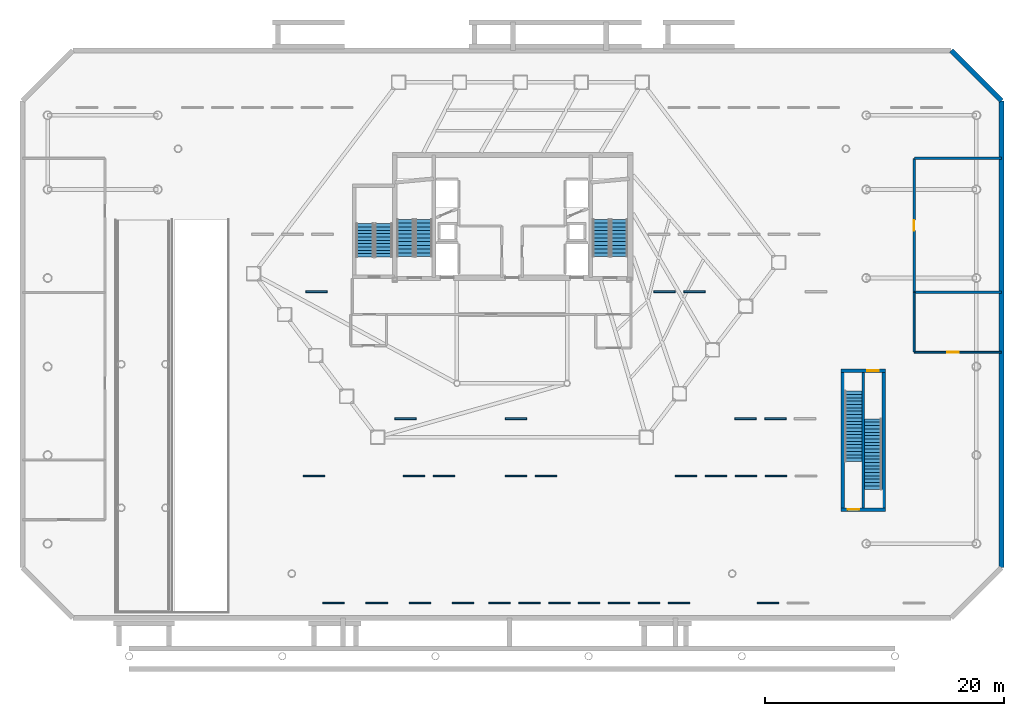
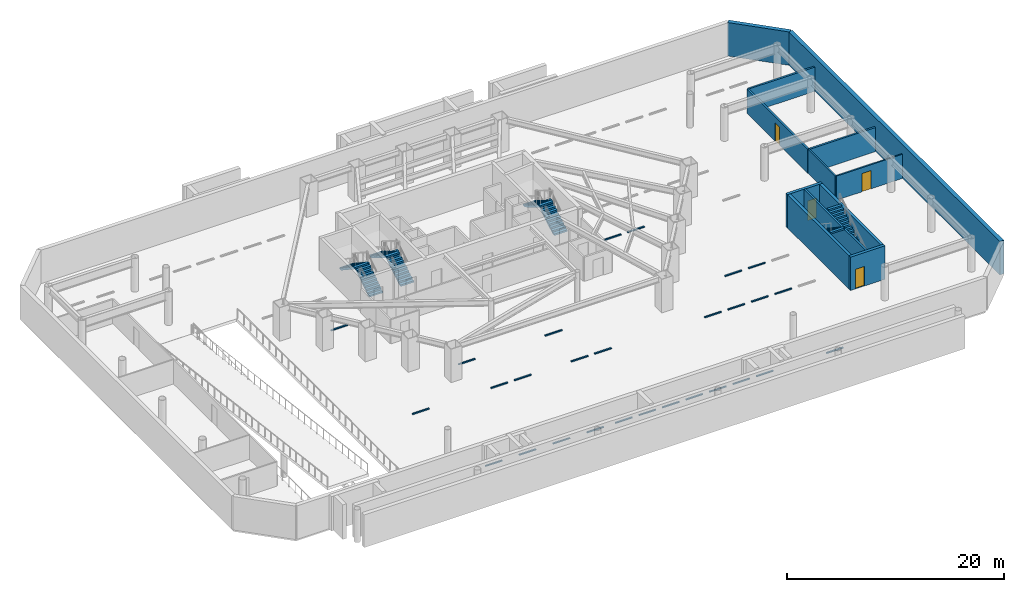
# One storey, part 11 of 15: 28 discrete accessories, 12 walls, 8 stair flights, 4 doors, 4 openings, 5 elements without a shape of their own.
"""IFC4 building model written with IfcOpenShell, lengths in metres."""

from ifc_helpers import new_model, si_unit, direction, frame, frame_2d, origin, origin_2d, place, context, subcontext, project, spatial, polyline, rectangle, outline, extrude, material, layer, layer_set, type_object, element, fill, aggregate, save


model = new_model("IFC4")

# Units and contexts
model_context = context("Model", 3, precision=1e-05, world=origin(), true_north=direction((0.0, 1.0)))
body_context = subcontext(model_context, "Body", "Model", "MODEL_VIEW")
ifc_project = project(units=[si_unit("LENGTHUNIT", "METRE"), si_unit("AREAUNIT", "SQUARE_METRE"), si_unit("VOLUMEUNIT", "CUBIC_METRE"), si_unit("PLANEANGLEUNIT", "RADIAN"), si_unit("MASSUNIT", "GRAM", prefix="KILO")], contexts=[model_context])

# Site, building, storey
site_placement = place(None, origin())
site = spatial("IfcSite", under=ifc_project, at=site_placement, CompositionType="ELEMENT")
building_placement = place(site_placement, origin())
building = spatial("IfcBuilding", under=site, at=building_placement, Name="Zarrinselat Tower", CompositionType="ELEMENT")
storey_placement = place(building_placement, frame((0.0, 0.0, -4.080078125)))
storey = spatial("IfcBuildingStorey", under=building, at=storey_placement, Name="B01", CompositionType="ELEMENT", Elevation=-4.080078125)

# Wall
ifc_material_1 = material(Name="Fire-Rated Gypsum Board Partition", Category="gypsum")
ifc_layer_1 = layer(ifc_material_1, 0.14990234375)
ifc_layer_set_1 = layer_set([ifc_layer_1], Name="Fire-Rated Gypsum Board Partition")
wall_type_1 = type_object("IfcWallType", Name="WAL-PART-EI60", PredefinedType="PARTITIONING", material=ifc_layer_set_1)
wall_1_placement = place(storey_placement, frame((72.0, 27.02001953125, 0.0), z_axis=(0.0, 0.0, 1.0), x_axis=(0.0, 1.0, 0.0)))
element("IfcWall", 1, at=wall_1_placement, inside=storey, type_object=wall_type_1, Name="B01 Partition Wall 18", PredefinedType="PARTITIONING", context=body_context, shape_type="SweptSolid", body=[
    extrude(rectangle(XDim=4.97509765625, YDim=0.14990234375, at=frame_2d((2.487548828125, 0.0))), origin(), (0.0, 0.0, 1.0), 2.717041015625),
])

# Wall, opening, door
wall_2_placement = place(storey_placement, frame((72.02001953125, 27.0, 0.0), z_axis=(0.0, 0.0, 1.0), x_axis=(1.0, 0.0, 0.0)))
wall_2 = element("IfcWall", 2, at=wall_2_placement, inside=storey, type_object=wall_type_1, Name="B01 Partition Wall 19", PredefinedType="PARTITIONING", context=body_context, shape_type="SweptSolid", body=[
    extrude(rectangle(XDim=7.264892578125, YDim=0.14990234375, at=frame_2d((3.63232421875, 0.0))), origin(), (0.0, 0.0, 1.0), 2.717041015625),
])
opening_1_placement = place(wall_2_placement, frame((2.762451171875, 0.0, 0.0)))
opening_1 = element("IfcOpeningElement", 3, at=opening_1_placement, cuts=wall_2, Name="Opening ID-04", PredefinedType="OPENING", context=body_context, shape_type="SweptSolid", body=[
    extrude(rectangle(XDim=0.93994140625, YDim=2.050048828125, at=frame_2d((0.469970703125, 1.02490234375))), frame((0.0, 0.0849609375, 0.0), z_axis=(0.0, -1.0, 0.0), x_axis=(1.0, 0.0, 0.0)), (0.0, 0.0, 1.0), 0.169921875),
])
ifc_material_2 = material(Name="Fire-Rated Gypsum Board Partition")
door_type_1 = type_object("IfcDoorType", Name="DR-INT-FD30-ENT", OperationType="NOTDEFINED", PredefinedType="DOOR", material=ifc_material_2)
door_1_placement = place(opening_1_placement, origin())
door_1 = element("IfcDoor", 4, at=door_1_placement, inside=storey, type_object=door_type_1, Name="B01 Interior Door P19", OperationType="SINGLE_SWING_RIGHT", OverallHeight=2.050048828125, OverallWidth=0.93994140625, PredefinedType="DOOR", context=body_context, shape_type="SweptSolid", body=[
    extrude(rectangle(XDim=0.93994140625, YDim=2.050048828125, at=frame_2d((0.469970703125, 1.02490234375))), frame((0.0, 0.02490234375, 0.0), z_axis=(0.0, -1.0, 0.0), x_axis=(1.0, 0.0, 0.0)), (0.0, 0.0, 1.0), 0.050048828125),
])
fill(opening_1, door_1)

ifc_material_3 = material(Name="Concrete C40/50", Category="concrete")
ifc_layer_2 = layer(ifc_material_3, 0.199951171875)
ifc_layer_set_2 = layer_set([ifc_layer_2], Name="Concrete C40/50")
wall_type_2 = type_object("IfcWallType", Name="WAL-PART-PLANT", PredefinedType="PARTITIONING", material=ifc_layer_set_2)
wall_3_placement = place(storey_placement, frame((72.0, 32.0048828125, 0.0), z_axis=(0.0, 0.0, 1.0), x_axis=(0.0, 1.0, 0.0)))
wall_3 = element("IfcWall", 5, at=wall_3_placement, inside=storey, type_object=wall_type_2, Name="B01 Partition Wall 20", PredefinedType="PARTITIONING", context=body_context, shape_type="SweptSolid", body=[
    extrude(rectangle(XDim=11.175048828125, YDim=0.199951171875, at=frame_2d((5.58740234375, 0.0))), origin(), (0.0, 0.0, 1.0), 2.717041015625),
])
opening_2_placement = place(wall_3_placement, frame((5.1474609375, 0.0, 0.0)))
opening_2 = element("IfcOpeningElement", 6, at=opening_2_placement, cuts=wall_3, Name="Opening ID-03", PredefinedType="OPENING", context=body_context, shape_type="SweptSolid", body=[
    extrude(rectangle(XDim=0.8798828125, YDim=2.050048828125, at=frame_2d((0.43994140625, 1.02490234375))), frame((0.0, 0.10986328125, 0.0), z_axis=(0.0, -1.0, 0.0), x_axis=(1.0, 0.0, 0.0)), (0.0, 0.0, 1.0), 0.219970703125),
])
ifc_material_4 = material(Name="Steel S355J2", Category="steel")
door_type_2 = type_object("IfcDoorType", Name="DR-INT-FD60-S", OperationType="NOTDEFINED", PredefinedType="DOOR", material=ifc_material_4)
door_2_placement = place(opening_2_placement, origin())
door_2 = element("IfcDoor", 7, at=door_2_placement, inside=storey, type_object=door_type_2, Name="B01 Interior Door P20", OperationType="SINGLE_SWING_LEFT", OverallHeight=2.050048828125, OverallWidth=0.8798828125, PredefinedType="DOOR", context=body_context, shape_type="SweptSolid", body=[
    extrude(rectangle(XDim=0.8798828125, YDim=2.050048828125, at=frame_2d((0.43994140625, 1.02490234375))), frame((0.0, 0.02490234375, 0.0), z_axis=(0.0, -1.0, 0.0), x_axis=(1.0, 0.0, 0.0)), (0.0, 0.0, 1.0), 0.050048828125),
])
fill(opening_2, door_2)

# Walls
for number, where, z_axis, x_axis, name in (
    (8, (72.02001953125, 43.199951171875, 0.0), (0.0, 0.0, 1.0), (1.0, 0.0, 0.0), "B01 Partition Wall 21"),
    (9, (72.02001953125, 32.0, 0.0), (0.0, 0.0, 1.0), (1.0, 0.0, 0.0), "B01 Partition Wall 27"),
):
    element("IfcWall", number, at=place(storey_placement, frame(where, z_axis=z_axis, x_axis=x_axis)), inside=storey, type_object=wall_type_2, Name=name, PredefinedType="PARTITIONING", context=body_context, shape_type="SweptSolid", body=[
        extrude(rectangle(XDim=7.264892578125, YDim=0.199951171875, at=frame_2d((3.63232421875, 0.0))), origin(), (0.0, 0.0, 1.0), 2.717041015625),
    ])
ifc_material_5 = material(Name="Concrete C50/60", Category="concrete")
ifc_layer_3 = layer(ifc_material_5, 0.419921875)
ifc_layer_set_3 = layer_set([ifc_layer_3], Name="Concrete C50/60")
wall_type_3 = type_object("IfcWallType", Name="WAL-RET-420", PredefinedType="SOLIDWALL", material=ifc_layer_set_3)
wall_4_placement = place(storey_placement, frame((79.300048828125, 9.0, 0.0), z_axis=(0.0, 0.0, 1.0), x_axis=(0.0, 1.0, 0.0)))
element("IfcWall", 10, at=wall_4_placement, inside=storey, type_object=wall_type_3, Name="B01 Basement Perimeter Retaining Wall 3", PredefinedType="SOLIDWALL", context=body_context, shape_type="SweptSolid", body=[
    extrude(rectangle(XDim=39.0, YDim=0.419921875, at=frame_2d((19.5, 0.0))), origin(), (0.0, 0.0, 1.0), 3.760009765625),
])
wall_5_placement = place(storey_placement, frame((75.10009765625, 52.199951171875, 0.0), z_axis=(0.0, 0.0, 1.0), x_axis=(0.707106781187, -0.707106781187, 0.0)))
element("IfcWall", 11, at=wall_5_placement, inside=storey, type_object=wall_type_3, Name="B01 Basement Perimeter Retaining Wall 4", PredefinedType="SOLIDWALL", context=body_context, shape_type="SweptSolid", body=[
    extrude(rectangle(XDim=5.939697265625, YDim=0.419921875, at=frame_2d((2.9697265625, 0.0))), origin(), (0.0, 0.0, 1.0), 3.760009765625),
])

# Wall, opening, door
ifc_material_6 = material(Name="Concrete C40/50", Category="concrete")
ifc_layer_4 = layer(ifc_material_6, 0.300048828125)
ifc_layer_set_4 = layer_set([ifc_layer_4], Name="Concrete C40/50")
wall_type_4 = type_object("IfcWallType", Name="WAL-SHEAR-300", PredefinedType="SHEAR", material=ifc_layer_set_4)
wall_6_placement = place(storey_placement, frame((65.89990234375, 25.449951171875, 0.0), z_axis=(0.0, 0.0, 1.0), x_axis=(1.0, 0.0, 0.0)))
wall_6 = element("IfcWall", 12, at=wall_6_placement, inside=storey, type_object=wall_type_4, Name="B01 Stair 4 North Shear Wall", PredefinedType="SHEAR", context=body_context, shape_type="SweptSolid", body=[
    extrude(rectangle(XDim=3.7001953125, YDim=0.300048828125, at=frame_2d((1.85009765625, 0.0))), origin(), (0.0, 0.0, 1.0), 3.760009765625),
])
opening_3_placement = place(wall_6_placement, frame((2.199951171875, 0.0, 0.0)))
opening_3 = element("IfcOpeningElement", 13, at=opening_3_placement, cuts=wall_6, Name="Opening SD-02", PredefinedType="OPENING", context=body_context, shape_type="SweptSolid", body=[
    extrude(rectangle(XDim=0.949951171875, YDim=2.199951171875, at=frame_2d((0.47509765625, 1.10009765625))), frame((0.0, 0.159912109375, 0.0), z_axis=(0.0, -1.0, 0.0), x_axis=(1.0, 0.0, 0.0)), (0.0, 0.0, 1.0), 0.320068359375),
])
ifc_material_7 = material(Name="Steel S355J2", Category="steel")
door_type_3 = type_object("IfcDoorType", Name="DR-STAIR-1050", OperationType="NOTDEFINED", PredefinedType="DOOR", material=ifc_material_7)
door_3_placement = place(opening_3_placement, origin())
door_3 = element("IfcDoor", 14, at=door_3_placement, inside=storey, type_object=door_type_3, Name="B01 Stair 4B Fire Door", OperationType="SINGLE_SWING_RIGHT", OverallHeight=2.199951171875, OverallWidth=0.949951171875, PredefinedType="DOOR", context=body_context, shape_type="SweptSolid", body=[
    extrude(rectangle(XDim=0.949951171875, YDim=2.199951171875, at=frame_2d((0.47509765625, 1.10009765625))), frame((0.0, 0.02490234375, 0.0), z_axis=(0.0, -1.0, 0.0), x_axis=(1.0, 0.0, 0.0)), (0.0, 0.0, 1.0), 0.050048828125),
])
fill(opening_3, door_3)

wall_7_placement = place(storey_placement, frame((65.89990234375, 13.85009765625, 0.0), z_axis=(0.0, 0.0, 1.0), x_axis=(1.0, 0.0, 0.0)))
wall_7 = element("IfcWall", 15, at=wall_7_placement, inside=storey, type_object=wall_type_4, Name="B01 Stair 4 South Shear Wall", PredefinedType="SHEAR", context=body_context, shape_type="SweptSolid", body=[
    extrude(rectangle(XDim=3.7001953125, YDim=0.300048828125, at=frame_2d((1.85009765625, 0.0))), origin(), (0.0, 0.0, 1.0), 3.760009765625),
])
opening_4_placement = place(wall_7_placement, frame((0.550048828125, 0.0, 0.0)))
opening_4 = element("IfcOpeningElement", 16, at=opening_4_placement, cuts=wall_7, Name="Opening SD-02", PredefinedType="OPENING", context=body_context, shape_type="SweptSolid", body=[
    extrude(rectangle(XDim=0.949951171875, YDim=2.199951171875, at=frame_2d((0.47509765625, 1.10009765625))), frame((0.0, 0.159912109375, 0.0), z_axis=(0.0, -1.0, 0.0), x_axis=(1.0, 0.0, 0.0)), (0.0, 0.0, 1.0), 0.320068359375),
])
door_4_placement = place(opening_4_placement, origin())
door_4 = element("IfcDoor", 17, at=door_4_placement, inside=storey, type_object=door_type_3, Name="B01 Stair 4A Fire Door", OperationType="SINGLE_SWING_LEFT", OverallHeight=2.199951171875, OverallWidth=0.949951171875, PredefinedType="DOOR", context=body_context, shape_type="SweptSolid", body=[
    extrude(rectangle(XDim=0.949951171875, YDim=2.199951171875, at=frame_2d((0.47509765625, 1.10009765625))), frame((0.0, 0.02490234375, 0.0), z_axis=(0.0, -1.0, 0.0), x_axis=(1.0, 0.0, 0.0)), (0.0, 0.0, 1.0), 0.050048828125),
])
fill(opening_4, door_4)

# Walls
for number, where, z_axis, x_axis, name in (
    (18, (66.050048828125, 13.85009765625, 0.0), (0.0, 0.0, 1.0), (0.0, 1.0, 0.0), "B01 Stair 4 West Shear Wall"),
    (19, (69.449951171875, 13.85009765625, 0.0), (0.0, 0.0, 1.0), (0.0, 1.0, 0.0), "B01 Stair 4 East Shear Wall"),
):
    element("IfcWall", number, at=place(storey_placement, frame(where, z_axis=z_axis, x_axis=x_axis)), inside=storey, type_object=wall_type_4, Name=name, PredefinedType="SHEAR", context=body_context, shape_type="SweptSolid", body=[
        extrude(rectangle(XDim=11.599853515625, YDim=0.300048828125, at=frame_2d((5.7998046875, 0.0))), origin(), (0.0, 0.0, 1.0), 3.760009765625),
    ])
wall_8_placement = place(storey_placement, frame((67.75, 14.0, 0.0), z_axis=(0.0, 0.0, 1.0), x_axis=(0.0, 1.0, 0.0)))
element("IfcWall", 20, at=wall_8_placement, inside=storey, type_object=wall_type_4, Name="B01 Stair 4 Scissor Dividing Wall", PredefinedType="SHEAR", context=body_context, shape_type="SweptSolid", body=[
    extrude(rectangle(XDim=11.300048828125, YDim=0.199951171875, at=frame_2d((5.64990234375, 0.0))), origin(), (0.0, 0.0, 1.0), 3.760009765625),
])

# Stair, stair flights
ifc_material_8 = material(Name="Concrete C40/50", Category="concrete")
stair_type_1 = type_object("IfcStairType", Name="STR-CORE-145", PredefinedType="HALF_TURN_STAIR", material=ifc_material_8)
stair_1_placement = place(storey_placement, origin())
stair_1 = element("IfcStair", 21, at=stair_1_placement, inside=storey, type_object=stair_type_1, Name="B01 Podium & Mid-Tower Exit Stair 3", PredefinedType="HALF_TURN_STAIR")
ifc_material_9 = material(Name="Concrete C40/50", Category="concrete")
stair_flight_type_1 = type_object("IfcStairFlightType", Name="STR-FLT-145", PredefinedType="STRAIGHT", material=ifc_material_9)
stair_flight_1_placement = place(storey_placement, frame((27.675048828125, 34.949951171875, 0.0), z_axis=(0.0, 0.0, 1.0), x_axis=(0.0, 1.0, 0.0)))
stair_flight_1 = element("IfcStairFlight", 22, at=stair_flight_1_placement, type_object=stair_flight_type_1, Name="ST-3 flight 1", NumberOfRisers=11, NumberOfTreads=10, PredefinedType="STRAIGHT", RiserHeight=0.185454545, TreadLength=0.28, context=body_context, shape_type="SweptSolid", body=[
    extrude(outline(polyline([(0.0, 0.0), (0.0, 0.185546875), (0.280029296875, 0.185546875), (0.280029296875, 0.370849609375), (0.56005859375, 0.370849609375), (0.56005859375, 0.556396484375), (0.840087890625, 0.556396484375), (0.840087890625, 0.74169921875), (1.1201171875, 0.74169921875), (1.1201171875, 0.92724609375), (1.39990234375, 0.92724609375), (1.39990234375, 1.11279296875), (1.679931640625, 1.11279296875), (1.679931640625, 1.298095703125), (1.9599609375, 1.298095703125), (1.9599609375, 1.483642578125), (2.239990234375, 1.483642578125), (2.239990234375, 1.669189453125), (2.52001953125, 1.669189453125), (2.52001953125, 1.8544921875), (2.800048828125, 1.8544921875), (2.800048828125, 2.0400390625), (2.800048828125, 1.6748046875), (0.271484375, 0.0), (0.0, 0.0)])), frame((0.0, 0.72509765625, 0.0), z_axis=(0.0, -1.0, 0.0), x_axis=(1.0, 0.0, 0.0)), (0.0, 0.0, 1.0), 1.449951171875),
])
stair_flight_2_placement = place(storey_placement, frame((26.10498046875, 37.75, 2.0400390625), z_axis=(0.0, 0.0, 1.0), x_axis=(0.0, -1.0, 0.0)))
stair_flight_2 = element("IfcStairFlight", 23, at=stair_flight_2_placement, type_object=stair_flight_type_1, Name="ST-3 flight 2", NumberOfRisers=11, NumberOfTreads=10, PredefinedType="STRAIGHT", RiserHeight=0.185454545, TreadLength=0.28, context=body_context, shape_type="SweptSolid", body=[
    extrude(outline(polyline([(0.0, 0.0), (0.0, 0.185546875), (0.280029296875, 0.185546875), (0.280029296875, 0.370849609375), (0.56005859375, 0.370849609375), (0.56005859375, 0.556396484375), (0.840087890625, 0.556396484375), (0.840087890625, 0.74169921875), (1.1201171875, 0.74169921875), (1.1201171875, 0.92724609375), (1.39990234375, 0.92724609375), (1.39990234375, 1.11279296875), (1.679931640625, 1.11279296875), (1.679931640625, 1.298095703125), (1.9599609375, 1.298095703125), (1.9599609375, 1.483642578125), (2.239990234375, 1.483642578125), (2.239990234375, 1.669189453125), (2.52001953125, 1.669189453125), (2.52001953125, 1.8544921875), (2.800048828125, 1.8544921875), (2.800048828125, 2.0400390625), (2.800048828125, 1.6748046875), (0.271484375, 0.0), (0.0, 0.0)])), frame((0.0, 0.72509765625, 0.0), z_axis=(0.0, -1.0, 0.0), x_axis=(1.0, 0.0, 0.0)), (0.0, 0.0, 1.0), 1.449951171875),
])
aggregate(stair_1, [stair_flight_1, stair_flight_2])

ifc_material_10 = material(Name="Concrete C40/50", Category="concrete")
stair_type_2 = type_object("IfcStairType", Name="STR-CORE-155", PredefinedType="HALF_TURN_STAIR", material=ifc_material_10)
stair_2_placement = place(storey_placement, origin())
stair_2 = element("IfcStair", 24, at=stair_2_placement, inside=storey, type_object=stair_type_2, Name="B01 Core Exit Stair 1", PredefinedType="HALF_TURN_STAIR")
ifc_material_11 = material(Name="Concrete C40/50", Category="concrete")
stair_flight_type_2 = type_object("IfcStairFlightType", Name="STR-FLT-155", PredefinedType="STRAIGHT", material=ifc_material_11)
stair_flight_3_placement = place(storey_placement, frame((31.02001953125, 35.0, 0.0), z_axis=(0.0, 0.0, 1.0), x_axis=(0.0, 1.0, 0.0)))
stair_flight_3 = element("IfcStairFlight", 25, at=stair_flight_3_placement, type_object=stair_flight_type_2, Name="ST-1 flight 1", NumberOfRisers=11, NumberOfTreads=10, PredefinedType="STRAIGHT", RiserHeight=0.185454545, TreadLength=0.31, context=body_context, shape_type="SweptSolid", body=[
    extrude(outline(polyline([(0.0, 0.0), (0.0, 0.185546875), (0.31005859375, 0.185546875), (0.31005859375, 0.370849609375), (0.6201171875, 0.370849609375), (0.6201171875, 0.556396484375), (0.929931640625, 0.556396484375), (0.929931640625, 0.74169921875), (1.239990234375, 0.74169921875), (1.239990234375, 0.92724609375), (1.550048828125, 0.92724609375), (1.550048828125, 1.11279296875), (1.860107421875, 1.11279296875), (1.860107421875, 1.298095703125), (2.169921875, 1.298095703125), (2.169921875, 1.483642578125), (2.47998046875, 1.483642578125), (2.47998046875, 1.669189453125), (2.7900390625, 1.669189453125), (2.7900390625, 1.8544921875), (3.10009765625, 1.8544921875), (3.10009765625, 2.0400390625), (3.10009765625, 1.679931640625), (0.2919921875, 0.0), (0.0, 0.0)])), frame((0.0, 0.699951171875, 0.0), z_axis=(0.0, -1.0, 0.0), x_axis=(1.0, 0.0, 0.0)), (0.0, 0.0, 1.0), 1.39990234375),
])
stair_flight_4_placement = place(storey_placement, frame((29.5, 38.10009765625, 2.0400390625), z_axis=(0.0, 0.0, 1.0), x_axis=(0.0, -1.0, 0.0)))
stair_flight_4 = element("IfcStairFlight", 26, at=stair_flight_4_placement, type_object=stair_flight_type_2, Name="ST-1 flight 2", NumberOfRisers=11, NumberOfTreads=10, PredefinedType="STRAIGHT", RiserHeight=0.185454545, TreadLength=0.31, context=body_context, shape_type="SweptSolid", body=[
    extrude(outline(polyline([(0.0, 0.0), (0.0, 0.185546875), (0.31005859375, 0.185546875), (0.31005859375, 0.370849609375), (0.6201171875, 0.370849609375), (0.6201171875, 0.556396484375), (0.929931640625, 0.556396484375), (0.929931640625, 0.74169921875), (1.239990234375, 0.74169921875), (1.239990234375, 0.92724609375), (1.550048828125, 0.92724609375), (1.550048828125, 1.11279296875), (1.860107421875, 1.11279296875), (1.860107421875, 1.298095703125), (2.169921875, 1.298095703125), (2.169921875, 1.483642578125), (2.47998046875, 1.483642578125), (2.47998046875, 1.669189453125), (2.7900390625, 1.669189453125), (2.7900390625, 1.8544921875), (3.10009765625, 1.8544921875), (3.10009765625, 2.0400390625), (3.10009765625, 1.679931640625), (0.2919921875, 0.0), (0.0, 0.0)])), frame((0.0, 0.699951171875, 0.0), z_axis=(0.0, -1.0, 0.0), x_axis=(1.0, 0.0, 0.0)), (0.0, 0.0, 1.0), 1.39990234375),
])
aggregate(stair_2, [stair_flight_3, stair_flight_4])

stair_3_placement = place(storey_placement, origin())
stair_3 = element("IfcStair", 27, at=stair_3_placement, inside=storey, type_object=stair_type_2, Name="B01 Core Exit Stair 2", PredefinedType="HALF_TURN_STAIR")
stair_flight_5_placement = place(storey_placement, frame((47.360107421875, 35.0, 0.0), z_axis=(0.0, 0.0, 1.0), x_axis=(0.0, 1.0, 0.0)))
stair_flight_5 = element("IfcStairFlight", 28, at=stair_flight_5_placement, type_object=stair_flight_type_2, Name="ST-2 flight 1", NumberOfRisers=11, NumberOfTreads=10, PredefinedType="STRAIGHT", RiserHeight=0.185454545, TreadLength=0.31, context=body_context, shape_type="SweptSolid", body=[
    extrude(outline(polyline([(0.0, 0.0), (0.0, 0.185546875), (0.31005859375, 0.185546875), (0.31005859375, 0.370849609375), (0.6201171875, 0.370849609375), (0.6201171875, 0.556396484375), (0.929931640625, 0.556396484375), (0.929931640625, 0.74169921875), (1.239990234375, 0.74169921875), (1.239990234375, 0.92724609375), (1.550048828125, 0.92724609375), (1.550048828125, 1.11279296875), (1.860107421875, 1.11279296875), (1.860107421875, 1.298095703125), (2.169921875, 1.298095703125), (2.169921875, 1.483642578125), (2.47998046875, 1.483642578125), (2.47998046875, 1.669189453125), (2.7900390625, 1.669189453125), (2.7900390625, 1.8544921875), (3.10009765625, 1.8544921875), (3.10009765625, 2.0400390625), (3.10009765625, 1.679931640625), (0.2919921875, 0.0), (0.0, 0.0)])), frame((0.0, 0.699951171875, 0.0), z_axis=(0.0, -1.0, 0.0), x_axis=(1.0, 0.0, 0.0)), (0.0, 0.0, 1.0), 1.39990234375),
])
stair_flight_6_placement = place(storey_placement, frame((45.840087890625, 38.10009765625, 2.0400390625), z_axis=(0.0, 0.0, 1.0), x_axis=(0.0, -1.0, 0.0)))
stair_flight_6 = element("IfcStairFlight", 29, at=stair_flight_6_placement, type_object=stair_flight_type_2, Name="ST-2 flight 2", NumberOfRisers=11, NumberOfTreads=10, PredefinedType="STRAIGHT", RiserHeight=0.185454545, TreadLength=0.31, context=body_context, shape_type="SweptSolid", body=[
    extrude(outline(polyline([(0.0, 0.0), (0.0, 0.185546875), (0.31005859375, 0.185546875), (0.31005859375, 0.370849609375), (0.6201171875, 0.370849609375), (0.6201171875, 0.556396484375), (0.929931640625, 0.556396484375), (0.929931640625, 0.74169921875), (1.239990234375, 0.74169921875), (1.239990234375, 0.92724609375), (1.550048828125, 0.92724609375), (1.550048828125, 1.11279296875), (1.860107421875, 1.11279296875), (1.860107421875, 1.298095703125), (2.169921875, 1.298095703125), (2.169921875, 1.483642578125), (2.47998046875, 1.483642578125), (2.47998046875, 1.669189453125), (2.7900390625, 1.669189453125), (2.7900390625, 1.8544921875), (3.10009765625, 1.8544921875), (3.10009765625, 2.0400390625), (3.10009765625, 1.679931640625), (0.2919921875, 0.0), (0.0, 0.0)])), frame((0.0, 0.699951171875, 0.0), z_axis=(0.0, -1.0, 0.0), x_axis=(1.0, 0.0, 0.0)), (0.0, 0.0, 1.0), 1.39990234375),
])
aggregate(stair_3, [stair_flight_5, stair_flight_6])

# Stair, stair flight
ifc_material_12 = material(Name="Precast concrete C40/50", Category="concrete")
stair_type_3 = type_object("IfcStairType", Name="STR-GDN-180", PredefinedType="STRAIGHT_RUN_STAIR", material=ifc_material_12)
stair_4_placement = place(storey_placement, origin())
stair_4 = element("IfcStair", 30, at=stair_4_placement, inside=storey, type_object=stair_type_3, Name="B01 East Podium Gallery Straight Stair 4 B", PredefinedType="STRAIGHT_RUN_STAIR")
ifc_material_13 = material(Name="Precast concrete C40/50", Category="concrete")
stair_flight_type_3 = type_object("IfcStairFlightType", Name="STR-FLT-180", PredefinedType="STRAIGHT", material=ifc_material_13)
stair_flight_7_placement = place(storey_placement, frame((68.574951171875, 15.550048828125, 0.0), z_axis=(0.0, 0.0, 1.0), x_axis=(0.0, 1.0, 0.0)))
stair_flight_7 = element("IfcStairFlight", 31, at=stair_flight_7_placement, type_object=stair_flight_type_3, Name="ST-4B flight 1", NumberOfRisers=22, NumberOfTreads=21, PredefinedType="STRAIGHT", RiserHeight=0.185454545, TreadLength=0.28, context=body_context, shape_type="SweptSolid", body=[
    extrude(outline(polyline([(0.0, 0.0), (0.0, 0.185546875), (0.280029296875, 0.185546875), (0.280029296875, 0.370849609375), (0.56005859375, 0.370849609375), (0.56005859375, 0.556396484375), (0.840087890625, 0.556396484375), (0.840087890625, 0.74169921875), (1.1201171875, 0.74169921875), (1.1201171875, 0.92724609375), (1.39990234375, 0.92724609375), (1.39990234375, 1.11279296875), (1.679931640625, 1.11279296875), (1.679931640625, 1.298095703125), (1.9599609375, 1.298095703125), (1.9599609375, 1.483642578125), (2.239990234375, 1.483642578125), (2.239990234375, 1.669189453125), (2.52001953125, 1.669189453125), (2.52001953125, 1.8544921875), (2.800048828125, 1.8544921875), (2.800048828125, 2.0400390625), (3.080078125, 2.0400390625), (3.080078125, 2.225341796875), (3.360107421875, 2.225341796875), (3.360107421875, 2.410888671875), (3.639892578125, 2.410888671875), (3.639892578125, 2.596435546875), (3.919921875, 2.596435546875), (3.919921875, 2.78173828125), (4.199951171875, 2.78173828125), (4.199951171875, 2.96728515625), (4.47998046875, 2.96728515625), (4.47998046875, 3.15283203125), (4.760009765625, 3.15283203125), (4.760009765625, 3.338134765625), (5.0400390625, 3.338134765625), (5.0400390625, 3.523681640625), (5.320068359375, 3.523681640625), (5.320068359375, 3.708984375), (5.60009765625, 3.708984375), (5.60009765625, 3.89453125), (5.8798828125, 3.89453125), (5.8798828125, 4.080078125), (5.8798828125, 3.71484375), (0.271484375, 0.0), (0.0, 0.0)])), frame((0.0, 0.72509765625, 0.0), z_axis=(0.0, -1.0, 0.0), x_axis=(1.0, 0.0, 0.0)), (0.0, 0.0, 1.0), 1.449951171875),
])
aggregate(stair_4, [stair_flight_7])

stair_5_placement = place(storey_placement, origin())
stair_5 = element("IfcStair", 32, at=stair_5_placement, inside=storey, type_object=stair_type_3, Name="B01 East Podium Gallery Straight Stair 4 A", PredefinedType="STRAIGHT_RUN_STAIR")
stair_flight_8_placement = place(storey_placement, frame((66.925048828125, 23.75, 0.0), z_axis=(0.0, 0.0, 1.0), x_axis=(0.0, -1.0, 0.0)))
stair_flight_8 = element("IfcStairFlight", 33, at=stair_flight_8_placement, type_object=stair_flight_type_3, Name="ST-4A flight 1", NumberOfRisers=22, NumberOfTreads=21, PredefinedType="STRAIGHT", RiserHeight=0.185454545, TreadLength=0.28, context=body_context, shape_type="SweptSolid", body=[
    extrude(outline(polyline([(0.0, 0.0), (0.0, 0.185546875), (0.280029296875, 0.185546875), (0.280029296875, 0.370849609375), (0.56005859375, 0.370849609375), (0.56005859375, 0.556396484375), (0.840087890625, 0.556396484375), (0.840087890625, 0.74169921875), (1.1201171875, 0.74169921875), (1.1201171875, 0.92724609375), (1.39990234375, 0.92724609375), (1.39990234375, 1.11279296875), (1.679931640625, 1.11279296875), (1.679931640625, 1.298095703125), (1.9599609375, 1.298095703125), (1.9599609375, 1.483642578125), (2.239990234375, 1.483642578125), (2.239990234375, 1.669189453125), (2.52001953125, 1.669189453125), (2.52001953125, 1.8544921875), (2.800048828125, 1.8544921875), (2.800048828125, 2.0400390625), (3.080078125, 2.0400390625), (3.080078125, 2.225341796875), (3.360107421875, 2.225341796875), (3.360107421875, 2.410888671875), (3.639892578125, 2.410888671875), (3.639892578125, 2.596435546875), (3.919921875, 2.596435546875), (3.919921875, 2.78173828125), (4.199951171875, 2.78173828125), (4.199951171875, 2.96728515625), (4.47998046875, 2.96728515625), (4.47998046875, 3.15283203125), (4.760009765625, 3.15283203125), (4.760009765625, 3.338134765625), (5.0400390625, 3.338134765625), (5.0400390625, 3.523681640625), (5.320068359375, 3.523681640625), (5.320068359375, 3.708984375), (5.60009765625, 3.708984375), (5.60009765625, 3.89453125), (5.8798828125, 3.89453125), (5.8798828125, 4.080078125), (5.8798828125, 3.71484375), (0.271484375, 0.0), (0.0, 0.0)])), frame((0.0, 0.72509765625, 0.0), z_axis=(0.0, -1.0, 0.0), x_axis=(1.0, 0.0, 0.0)), (0.0, 0.0, 1.0), 1.449951171875),
])
aggregate(stair_5, [stair_flight_8])

# Discrete accessories
ifc_material_14 = material(Name="Precast concrete C40/50", Category="concrete")
discrete_accessory_type = type_object("IfcDiscreteAccessoryType", Name="ACC-WHEEL-STOP", PredefinedType="USERDEFINED", material=ifc_material_14)
for number, where, z_axis, x_axis, name in (
    (34, (23.5, 6.050048828125, 0.0), (0.0, 0.0, 1.0), (1.0, 0.0, 0.0), "B01 Accessible Parking Bay 01 Wheel Stop"),
    (35, (27.10009765625, 6.050048828125, 0.0), (0.0, 0.0, 1.0), (1.0, 0.0, 0.0), "B01 Accessible Parking Bay 02 Wheel Stop"),
    (36, (30.699951171875, 6.050048828125, 0.0), (0.0, 0.0, 1.0), (1.0, 0.0, 0.0), "B01 Accessible Parking Bay 03 Wheel Stop"),
    (37, (34.300048828125, 6.050048828125, 0.0), (0.0, 0.0, 1.0), (1.0, 0.0, 0.0), "B01 Accessible Parking Bay 04 Wheel Stop"),
    (38, (37.35009765625, 6.050048828125, 0.0), (0.0, 0.0, 1.0), (1.0, 0.0, 0.0), "B01 Car Parking Bay 001 Wheel Stop"),
    (39, (39.85009765625, 6.050048828125, 0.0), (0.0, 0.0, 1.0), (1.0, 0.0, 0.0), "B01 Car Parking Bay 002 Wheel Stop"),
    (40, (42.35009765625, 6.050048828125, 0.0), (0.0, 0.0, 1.0), (1.0, 0.0, 0.0), "B01 Car Parking Bay 003 Wheel Stop"),
    (41, (44.85009765625, 6.050048828125, 0.0), (0.0, 0.0, 1.0), (1.0, 0.0, 0.0), "B01 Car Parking Bay 004 Wheel Stop"),
    (42, (47.35009765625, 6.050048828125, 0.0), (0.0, 0.0, 1.0), (1.0, 0.0, 0.0), "B01 Car Parking Bay 005 Wheel Stop"),
    (43, (49.85009765625, 6.050048828125, 0.0), (0.0, 0.0, 1.0), (1.0, 0.0, 0.0), "B01 Car Parking Bay 006 Wheel Stop"),
    (44, (52.35009765625, 6.050048828125, 0.0), (0.0, 0.0, 1.0), (1.0, 0.0, 0.0), "B01 Car Parking Bay 007 Wheel Stop"),
    (45, (59.800048828125, 6.050048828125, 0.0), (0.0, 0.0, 1.0), (1.0, 0.0, 0.0), "B01 Car Parking Bay 008 Wheel Stop"),
    (46, (21.85009765625, 16.64990234375, 0.0), (0.0, 0.0, 1.0), (1.0, 0.0, 0.0), "B01 Car Parking Bay 026 Wheel Stop"),
    (47, (30.199951171875, 16.64990234375, 0.0), (0.0, 0.0, 1.0), (1.0, 0.0, 0.0), "B01 Car Parking Bay 027 Wheel Stop"),
    (48, (32.699951171875, 16.64990234375, 0.0), (0.0, 0.0, 1.0), (1.0, 0.0, 0.0), "B01 Car Parking Bay 028 Wheel Stop"),
    (49, (29.5, 21.449951171875, 0.0), (0.0, 0.0, 1.0), (1.0, 0.0, 0.0), "B01 Car Parking Bay 029 Wheel Stop"),
    (50, (52.949951171875, 16.64990234375, 0.0), (0.0, 0.0, 1.0), (1.0, 0.0, 0.0), "B01 Car Parking Bay 030 Wheel Stop"),
    (51, (55.449951171875, 16.64990234375, 0.0), (0.0, 0.0, 1.0), (1.0, 0.0, 0.0), "B01 Car Parking Bay 031 Wheel Stop"),
    (52, (57.949951171875, 16.64990234375, 0.0), (0.0, 0.0, 1.0), (1.0, 0.0, 0.0), "B01 Car Parking Bay 032 Wheel Stop"),
    (53, (60.449951171875, 16.64990234375, 0.0), (0.0, 0.0, 1.0), (1.0, 0.0, 0.0), "B01 Car Parking Bay 033 Wheel Stop"),
    (54, (57.89990234375, 21.449951171875, 0.0), (0.0, 0.0, 1.0), (1.0, 0.0, 0.0), "B01 Car Parking Bay 035 Wheel Stop"),
    (55, (60.39990234375, 21.449951171875, 0.0), (0.0, 0.0, 1.0), (1.0, 0.0, 0.0), "B01 Car Parking Bay 036 Wheel Stop"),
    (56, (51.14990234375, 32.050048828125, 0.0), (0.0, 0.0, 1.0), (1.0, 0.0, 0.0), "B01 Car Parking Bay 044 Wheel Stop"),
    (57, (53.64990234375, 32.050048828125, 0.0), (0.0, 0.0, 1.0), (1.0, 0.0, 0.0), "B01 Car Parking Bay 045 Wheel Stop"),
    (58, (22.050048828125, 32.050048828125, 0.0), (0.0, 0.0, 1.0), (1.0, 0.0, 0.0), "B01 Car Parking Bay 050 Wheel Stop"),
    (59, (38.75, 21.449951171875, 0.0), (0.0, 0.0, 1.0), (1.0, 0.0, 0.0), "B01 Car Parking Bay 052 Wheel Stop"),
    (60, (38.75, 16.64990234375, 0.0), (0.0, 0.0, 1.0), (1.0, 0.0, 0.0), "B01 Car Parking Bay 053 Wheel Stop"),
    (61, (41.25, 16.64990234375, 0.0), (0.0, 0.0, 1.0), (1.0, 0.0, 0.0), "B01 Car Parking Bay 054 Wheel Stop"),
):
    element("IfcDiscreteAccessory", number, at=place(storey_placement, frame(where, z_axis=z_axis, x_axis=x_axis)), inside=storey, type_object=discrete_accessory_type, Name=name, ObjectType="WHEEL_STOP", PredefinedType="USERDEFINED", context=body_context, shape_type="SweptSolid", body=[
        extrude(rectangle(XDim=1.800048828125, YDim=0.14990234375, at=origin_2d()), origin(), (0.0, 0.0, 1.0), 0.1201171875),
    ])

save(model, "model.ifc")
